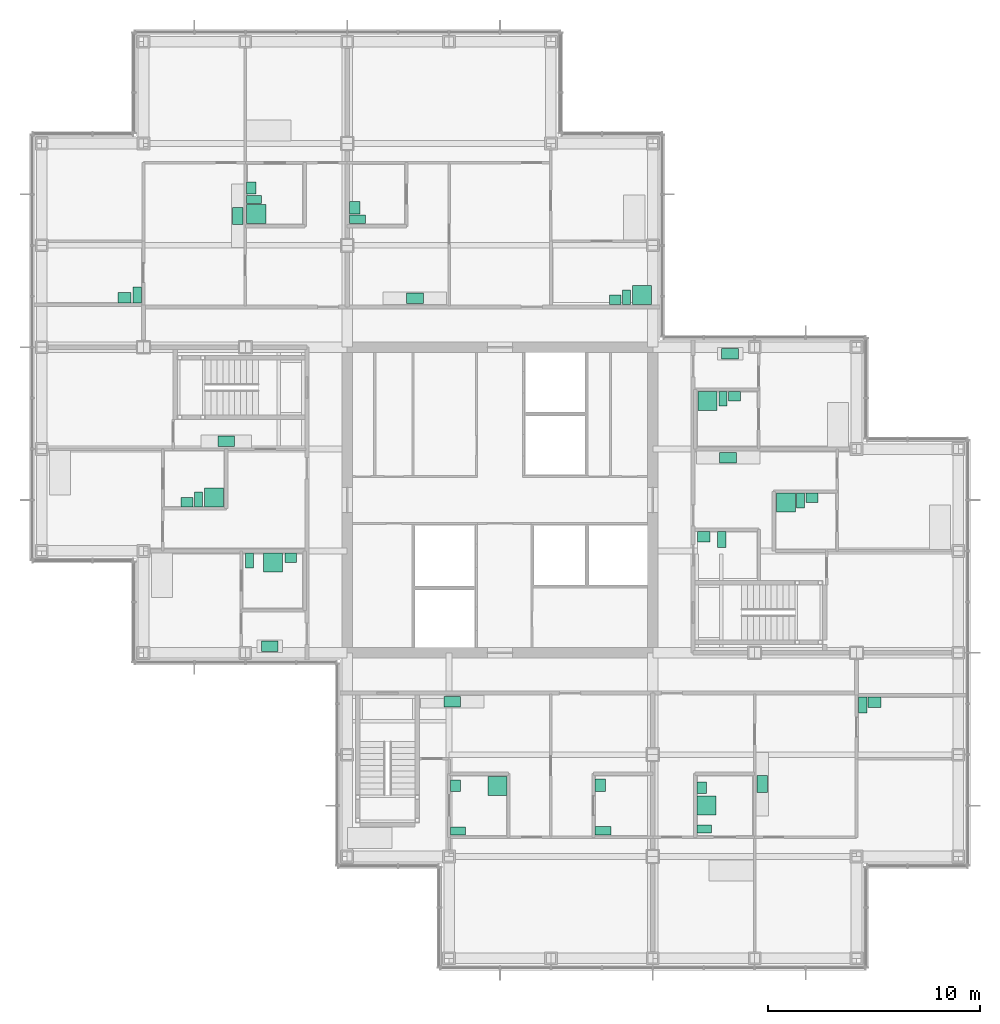
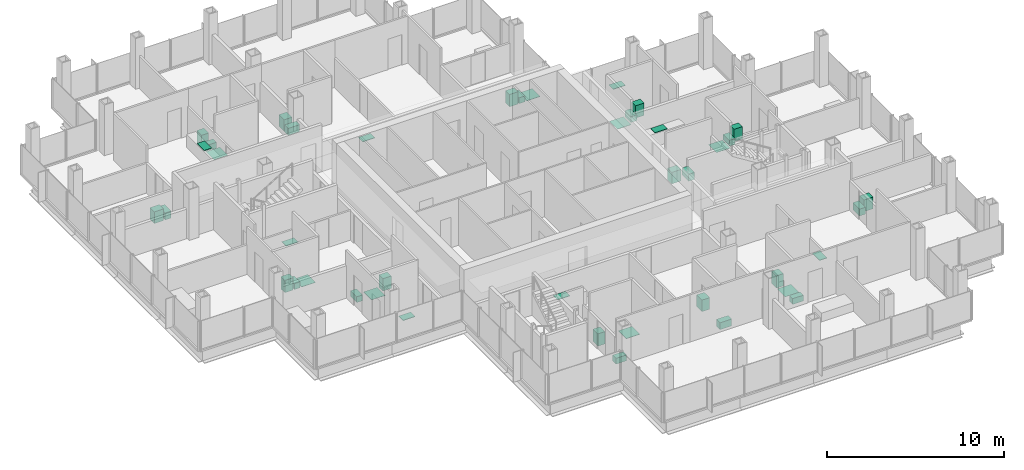
# One storey, part 19 of 20: 42 sanitary terminals.
"""IFC4 building model written with IfcOpenShell, lengths in metres."""

import ifcopenshell
import ifcopenshell.guid

model = None  # the IFC model being written
_history = None  # IfcOwnerHistory: only IFC2X3 demands one
_inside = {}  # id of a spatial element -> (the spatial element, [elements in it])
_under = {}  # id of a project, library or spatial element -> (it, [spatial elements below it])
_declared = {}  # id of a project -> (the project, [libraries it declares])
_typed = {}  # id of a type object -> (the type object, [elements of that type])
_made_of = {}  # id of a material, layer set ... -> (it, [elements and type objects made of it])


def new_model(schema):
    """Start an empty IFC model of exactly this schema.

    Asked for "IFC4X3", IfcOpenShell would pick the latest addendum, in which some entities
    have other attributes; the version numbers below select the first issue.
    IFC2X3 requires an IfcOwnerHistory on every rooted entity: one is made here for all.
    """
    global model, _history
    if schema == "IFC4X3":
        model = ifcopenshell.file(schema_version=(4, 3, 0, 0))
    else:
        model = ifcopenshell.file(schema=schema)
    _inside.clear()
    _under.clear()
    _declared.clear()
    _typed.clear()
    _made_of.clear()
    _history = None
    if model.schema == "IFC2X3":
        org = make("IfcOrganization", Name="unknown")
        user = make(
            "IfcPersonAndOrganization",
            ThePerson=make("IfcPerson", FamilyName="unknown"),
            TheOrganization=org,
        )
        app = make(
            "IfcApplication",
            ApplicationDeveloper=org,
            Version="unknown",
            ApplicationFullName="unknown",
            ApplicationIdentifier="unknown",
        )
        _history = make(
            "IfcOwnerHistory",
            OwningUser=user,
            OwningApplication=app,
            ChangeAction="ADDED",
            CreationDate=0,
        )
    return model


def make(cls, **values):
    """One entity of the class cls with the attributes given. An attribute that is None is left unset."""
    return model.create_entity(
        cls, **{name: value for name, value in values.items() if value is not None}
    )


def rooted(cls, **values):
    """An entity with a GlobalId (a new one), such as an element, a storey or a relation."""
    return make(cls, GlobalId=ifcopenshell.guid.new(), OwnerHistory=_history, **values)


def si_unit(unit_type, name, prefix=None):
    """IfcSIUnit, for example si_unit("LENGTHUNIT", "METRE", prefix="MILLI")."""
    return make("IfcSIUnit", UnitType=unit_type, Prefix=prefix, Name=name)


def assignment(units):
    """IfcUnitAssignment: the units of a project."""
    return None if units is None else make("IfcUnitAssignment", Units=units)


def point(xyz):
    """IfcCartesianPoint."""
    return None if xyz is None else make("IfcCartesianPoint", Coordinates=xyz)


def direction(xyz):
    """IfcDirection."""
    return None if xyz is None else make("IfcDirection", DirectionRatios=xyz)


def frame(location, z_axis=None, x_axis=None):
    """IfcAxis2Placement3D, a coordinate frame: its origin and axes. An axis left out is left unset."""
    return make(
        "IfcAxis2Placement3D",
        Location=point(location),
        Axis=direction(z_axis),
        RefDirection=direction(x_axis),
    )


def frame_2d(location, x_axis=None):
    """IfcAxis2Placement2D, a coordinate frame in the plane: its origin and x axis."""
    return make(
        "IfcAxis2Placement2D", Location=point(location), RefDirection=direction(x_axis)
    )


def origin():
    """The frame at (0, 0, 0) with its axes left unset."""
    return frame((0.0, 0.0, 0.0))


def origin_2d():
    """The frame at (0, 0) in the plane with its x axis left unset."""
    return frame_2d((0.0, 0.0))


def place(relative_to, where):
    """IfcLocalPlacement: puts the frame where relative to a parent placement (None: the world)."""
    return make(
        "IfcLocalPlacement", PlacementRelTo=relative_to, RelativePlacement=where
    )


def context(
    kind, dimensions, precision=None, world=None, true_north=None, identifier=None
):
    """IfcGeometricRepresentationContext, for example the 3D "Model" context."""
    return make(
        "IfcGeometricRepresentationContext",
        ContextIdentifier=identifier,
        ContextType=kind,
        CoordinateSpaceDimension=dimensions,
        Precision=precision,
        WorldCoordinateSystem=world,
        TrueNorth=true_north,
    )


def subcontext(parent, identifier, kind, view, scale=None):
    """IfcGeometricRepresentationSubContext, for example "Body" below "Model"."""
    return make(
        "IfcGeometricRepresentationSubContext",
        ContextIdentifier=identifier,
        ContextType=kind,
        ParentContext=parent,
        TargetScale=scale,
        TargetView=view,
    )


def project(units=None, contexts=None):
    """IfcProject with its units and contexts."""
    return rooted(
        "IfcProject",
        Name="project",
        RepresentationContexts=contexts,
        UnitsInContext=assignment(units),
    )


def spatial(cls, under=None, at=None, **own):
    """A site, building, storey or space (cls), placed at a placement, below another one or the project."""
    s = rooted(cls, ObjectPlacement=at, **own)
    if under is not None:
        _under.setdefault(under.id(), (under, []))[1].append(s)
    return s


def profile(cls, at=None, kind="AREA", **sizes):
    """A parametric profile (cls). Its sizes go by their IFC names, for example OverallWidth=200.0."""
    return make(cls, ProfileType=kind, Position=at, **sizes)


def rectangle(**sizes):
    """IfcRectangleProfileDef."""
    return profile("IfcRectangleProfileDef", **sizes)


def extrude(swept, where, along, depth):
    """IfcExtrudedAreaSolid: the profile swept, set in the frame where, extruded along a direction by depth."""
    return make(
        "IfcExtrudedAreaSolid",
        SweptArea=swept,
        Position=where,
        ExtrudedDirection=direction(along),
        Depth=depth,
    )


def shape(context_of_items, identifier, shape_type, items):
    """IfcShapeRepresentation: the items that make up one representation, for example the "Body"."""
    return make(
        "IfcShapeRepresentation",
        ContextOfItems=context_of_items,
        RepresentationIdentifier=identifier,
        RepresentationType=shape_type,
        Items=items,
    )


def material(Name=None, Category=None):
    """IfcMaterial."""
    return make("IfcMaterial", Name=Name, Category=Category)


def made_of(thing, what):
    """Note that an element or type object is made of a material, layer set ...; save() writes the relation."""
    if what is not None:
        _made_of.setdefault(what.id(), (what, []))[1].append(thing)
    return thing


def type_object(cls, material=None, **own):
    """A type object (cls), such as IfcWallType, which elements share."""
    return made_of(rooted(cls, **own), material)


def element(
    cls,
    number,
    at=None,
    inside=None,
    cuts=None,
    type_object=None,
    material=None,
    context=None,
    identifier="Body",
    shape_type=None,
    held_by="IfcProductDefinitionShape",
    body=None,
    shapes=None,
    **own,
):
    """One element of the class cls, such as IfcWall. Its Tag is "e" and its number.

    at: its placement. inside: the storey or other place that contains it. cuts: it is an
    opening in that element (IfcRelVoidsElement). A single representation is given by context,
    identifier, shape_type and body (its items); several are given by shapes. held_by: the class
    of the entity that holds the representations. save() writes the other relations.
    """
    e = rooted(cls, Tag="e%d" % number, ObjectPlacement=at, **own)
    if body is not None:
        shapes = [shape(context, identifier, shape_type, body)]
    if shapes is not None:
        e.Representation = make(held_by, Representations=shapes)
    if inside is not None:
        _inside.setdefault(inside.id(), (inside, []))[1].append(e)
    if cuts is not None:
        rooted(
            "IfcRelVoidsElement", RelatingBuildingElement=cuts, RelatedOpeningElement=e
        )
    if type_object is not None:
        _typed.setdefault(type_object.id(), (type_object, []))[1].append(e)
    return made_of(e, material)


def aggregate(whole, parts):
    """IfcRelAggregates: a whole, such as a stair, and the parts it consists of."""
    return rooted("IfcRelAggregates", RelatingObject=whole, RelatedObjects=parts)


def save(model, path):
    """Write the relations noted so far, then the file.

    IfcRelAggregates (storeys below a building ...), IfcRelContainedInSpatialStructure (elements
    in a storey), IfcRelDefinesByType, IfcRelAssociatesMaterial and IfcRelDeclares: one each for
    every whole, place, type object, material and project.
    """
    for whole, parts in _under.values():
        aggregate(whole, parts)
    for where, things in _inside.values():
        rooted(
            "IfcRelContainedInSpatialStructure",
            RelatedElements=things,
            RelatingStructure=where,
        )
    for kind, things in _typed.values():
        rooted("IfcRelDefinesByType", RelatedObjects=things, RelatingType=kind)
    for what, things in _made_of.values():
        rooted("IfcRelAssociatesMaterial", RelatedObjects=things, RelatingMaterial=what)
    for by, libraries in _declared.values():
        rooted("IfcRelDeclares", RelatingContext=by, RelatedDefinitions=libraries)
    model.write(path)


model = new_model("IFC4")

# Units and contexts
model_context = context("Model", 3, precision=1e-05, world=origin(), true_north=direction((0.0, 1.0)))
body_context = subcontext(model_context, "Body", "Model", "MODEL_VIEW")
ifc_project = project(units=[si_unit("LENGTHUNIT", "METRE"), si_unit("AREAUNIT", "SQUARE_METRE"), si_unit("VOLUMEUNIT", "CUBIC_METRE"), si_unit("PLANEANGLEUNIT", "RADIAN"), si_unit("MASSUNIT", "GRAM", prefix="KILO")], contexts=[model_context])

# Site, building, storey
site_placement = place(None, origin())
site = spatial("IfcSite", under=ifc_project, at=site_placement, CompositionType="ELEMENT")
building_placement = place(site_placement, origin())
building = spatial("IfcBuilding", under=site, at=building_placement, Name="Kvirike Care Tower", CompositionType="ELEMENT")
storey_placement = place(building_placement, frame((0.0, 0.0, 133.0)))
storey = spatial("IfcBuildingStorey", under=building, at=storey_placement, Name="L36", CompositionType="ELEMENT", Elevation=133.0)

# Sanitary terminals
ifc_material_1 = material(Name="Vitreous china", Category="ceramic")
sanitary_terminal_type_1 = type_object("IfcSanitaryTerminalType", Name="ACCESSIBLE WASH BASIN 600 x 500", PredefinedType="WASHHANDBASIN", material=ifc_material_1)
for number, where, z_axis, x_axis, name in (
    (1, (3.89990234375, 45.527099609375, 0.02001953125), (0.0, 0.0, 1.0), (-1.0, 0.0, 0.0), "Accessible wash basin L36-015"),
    (2, (26.326904296875, 22.56005859375, 0.02001953125), (0.0, 0.0, 1.0), (0.0, 1.0, 0.0), "Accessible wash basin L36-022"),
    (3, (14.751953125, 49.77490234375, 0.02001953125), (0.0, 0.0, 1.0), (0.0, 1.0, 0.0), "Accessible wash basin L36-030"),
    (4, (39.25, 26.472900390625, 0.02001953125), (0.0, 0.0, 1.0), (1.0, 0.0, 0.0), "Accessible wash basin L36-037"),
    (5, (31.199951171875, 34.27294921875, 0.02001953125), (0.0, 0.0, 1.0), (1.0, 0.0, 0.0), "Accessible wash basin L36-044"),
):
    element("IfcSanitaryTerminal", number, at=place(storey_placement, frame(where, z_axis=z_axis, x_axis=x_axis)), inside=storey, type_object=sanitary_terminal_type_1, Name=name, PredefinedType="WASHHANDBASIN", context=body_context, shape_type="SweptSolid", body=[
        extrude(rectangle(XDim=0.60009765625, YDim=0.5, at=origin_2d()), origin(), (0.0, 0.0, 1.0), 0.800048828125),
    ])
ifc_material_2 = material(Name="Vitreous china", Category="ceramic")
sanitary_terminal_type_2 = type_object("IfcSanitaryTerminalType", Name="ACCESSIBLE WC PAN 400 x 750", PredefinedType="TOILETPAN", material=ifc_material_2)
for number, where, z_axis, x_axis, name in (
    (6, (4.5, 45.652099609375, 0.02001953125), (0.0, 0.0, 1.0), (-1.0, 0.0, 0.0), "Accessible WC pan L36-015"),
    (7, (26.451904296875, 20.409912109375, 0.02001953125), (0.0, 0.0, 1.0), (0.0, 1.0, 0.0), "Accessible WC pan L36-022"),
    (8, (14.876953125, 49.22509765625, 0.02001953125), (0.0, 0.0, 1.0), (0.0, 1.0, 0.0), "Accessible WC pan L36-030"),
    (9, (38.699951171875, 26.347900390625, 0.02001953125), (0.0, 0.0, 1.0), (1.0, 0.0, 0.0), "Accessible WC pan L36-037"),
    (10, (32.050048828125, 34.14794921875, 0.02001953125), (0.0, 0.0, 1.0), (1.0, 0.0, 0.0), "Accessible WC pan L36-044"),
):
    element("IfcSanitaryTerminal", number, at=place(storey_placement, frame(where, z_axis=z_axis, x_axis=x_axis)), inside=storey, type_object=sanitary_terminal_type_2, Name=name, PredefinedType="TOILETPAN", context=body_context, shape_type="SweptSolid", body=[
        extrude(rectangle(XDim=0.39990234375, YDim=0.75, at=origin_2d()), origin(), (0.0, 0.0, 1.0), 0.47998046875),
    ])
ifc_material_3 = material(Name="Stainless steel", Category="steel")
sanitary_terminal_type_3 = type_object("IfcSanitaryTerminalType", Name="KITCHEN SINK 800 x 500", PredefinedType="SINK", material=ifc_material_3)
for number, where, z_axis, x_axis, name in (
    (11, (8.699951171875, 38.761962890625, 0.89990234375), (0.0, 0.0, 1.0), (-1.0, 0.0, 0.0), "Kitchen sink L36-006"),
    (12, (10.75, 29.10205078125, 0.89990234375), (0.0, 0.0, 1.0), (-1.0, 0.0, 0.0), "Kitchen sink L36-010"),
    (13, (9.238037109375, 49.389892578125, 0.89990234375), (0.0, 0.0, 1.0), (0.0, -1.0, 0.0), "Kitchen sink L36-017"),
    (14, (19.35009765625, 26.498046875, 0.89990234375), (0.0, 0.0, 1.0), (1.0, 0.0, 0.0), "Kitchen sink L36-024"),
    (15, (17.590087890625, 45.501953125, 0.89990234375), (0.0, 0.0, 1.0), (-1.0, 0.0, 0.0), "Kitchen sink L36-032"),
    (16, (33.9619140625, 22.610107421875, 0.89990234375), (0.0, 0.0, 1.0), (0.0, 1.0, 0.0), "Kitchen sink L36-039"),
    (17, (32.35009765625, 37.998046875, 0.89990234375), (0.0, 0.0, 1.0), (1.0, 0.0, 0.0), "Kitchen sink L36-046"),
    (18, (32.449951171875, 42.89794921875, 0.89990234375), (0.0, 0.0, 1.0), (1.0, 0.0, 0.0), "Kitchen sink L36-049"),
):
    element("IfcSanitaryTerminal", number, at=place(storey_placement, frame(where, z_axis=z_axis, x_axis=x_axis)), inside=storey, type_object=sanitary_terminal_type_3, Name=name, PredefinedType="SINK", context=body_context, shape_type="SweptSolid", body=[
        extrude(rectangle(XDim=0.800048828125, YDim=0.5, at=origin_2d()), origin(), (0.0, 0.0, 1.0), 0.030029296875),
    ])
ifc_material_4 = material(Name="Stainless steel", Category="steel")
sanitary_terminal_type_4 = type_object("IfcSanitaryTerminalType", Name="LEVEL-ACCESS SHOWER 900 x 900", PredefinedType="SHOWER", material=ifc_material_4)
for number, where, z_axis, x_axis, name in (
    (19, (8.125, 36.126953125, 0.02001953125), (0.0, 0.0, 1.0), (-1.0, 0.0, 0.0), "Level-access shower L36-005"),
    (20, (10.909912109375, 33.048095703125, 0.02001953125), (0.0, 0.0, 1.0), (1.0, 0.0, 0.0), "Level-access shower L36-009"),
    (21, (10.112060546875, 49.47509765625, 0.02001953125), (0.0, 0.0, 1.0), (0.0, 1.0, 0.0), "Level-access shower L36-014"),
    (22, (21.472900390625, 22.52490234375, 0.02001953125), (0.0, 0.0, 1.0), (0.0, -1.0, 0.0), "Level-access shower L36-023"),
    (23, (28.300048828125, 45.652099609375, 0.02001953125), (0.0, 0.0, 1.0), (-1.0, 0.0, 0.0), "Level-access shower L36-029"),
    (24, (31.326904296875, 21.610107421875, 0.02001953125), (0.0, 0.0, 1.0), (0.0, 1.0, 0.0), "Level-access shower L36-036"),
    (25, (35.074951171875, 35.873046875, 0.02001953125), (0.0, 0.0, 1.0), (1.0, 0.0, 0.0), "Level-access shower L36-045"),
    (26, (31.375, 40.673095703125, 0.02001953125), (0.0, 0.0, 1.0), (1.0, 0.0, 0.0), "Level-access shower L36-048"),
):
    element("IfcSanitaryTerminal", number, at=place(storey_placement, frame(where, z_axis=z_axis, x_axis=x_axis)), inside=storey, type_object=sanitary_terminal_type_4, Name=name, PredefinedType="SHOWER", context=body_context, shape_type="SweptSolid", body=[
        extrude(rectangle(XDim=0.89990234375, YDim=0.89990234375, at=origin_2d()), origin(), (0.0, 0.0, 1.0), 0.02001953125),
    ])
ifc_material_5 = material(Name="Vitreous china", Category="ceramic")
sanitary_terminal_type_5 = type_object("IfcSanitaryTerminalType", Name="WASH BASIN 550 x 450", PredefinedType="WASHHANDBASIN", material=ifc_material_5)
for number, where, z_axis, x_axis, name in (
    (27, (6.85009765625, 35.902099609375, 0.02001953125), (0.0, 0.0, 1.0), (-1.0, 0.0, 0.0), "Wash basin L36-005"),
    (28, (11.735107421875, 33.27294921875, 0.02001953125), (0.0, 0.0, 1.0), (1.0, 0.0, 0.0), "Wash basin L36-009"),
    (29, (9.886962890625, 50.699951171875, 0.02001953125), (0.0, 0.0, 1.0), (0.0, 1.0, 0.0), "Wash basin L36-014"),
    (30, (19.501953125, 22.534912109375, 0.02001953125), (0.0, 0.0, 1.0), (0.0, 1.0, 0.0), "Wash basin L36-023"),
    (31, (27.02490234375, 45.427001953125, 0.02001953125), (0.0, 0.0, 1.0), (-1.0, 0.0, 0.0), "Wash basin L36-029"),
    (32, (31.10205078125, 22.43505859375, 0.02001953125), (0.0, 0.0, 1.0), (0.0, 1.0, 0.0), "Wash basin L36-036"),
    (33, (36.300048828125, 36.097900390625, 0.02001953125), (0.0, 0.0, 1.0), (1.0, 0.0, 0.0), "Wash basin L36-045"),
    (34, (32.64990234375, 40.89794921875, 0.02001953125), (0.0, 0.0, 1.0), (1.0, 0.0, 0.0), "Wash basin L36-048"),
):
    element("IfcSanitaryTerminal", number, at=place(storey_placement, frame(where, z_axis=z_axis, x_axis=x_axis)), inside=storey, type_object=sanitary_terminal_type_5, Name=name, PredefinedType="WASHHANDBASIN", context=body_context, shape_type="SweptSolid", body=[
        extrude(rectangle(XDim=0.550048828125, YDim=0.449951171875, at=origin_2d()), origin(), (0.0, 0.0, 1.0), 0.85009765625),
    ])
ifc_material_6 = material(Name="Vitreous china", Category="ceramic")
sanitary_terminal_type_6 = type_object("IfcSanitaryTerminalType", Name="WC PAN 380 x 700", PredefinedType="TOILETPAN", material=ifc_material_6)
for number, where, z_axis, x_axis, name in (
    (35, (7.385009765625, 36.027099609375, 0.02001953125), (0.0, 0.0, 1.0), (-1.0, 0.0, 0.0), "WC pan L36-005"),
    (36, (9.800048828125, 33.14794921875, 0.02001953125), (0.0, 0.0, 1.0), (1.0, 0.0, 0.0), "WC pan L36-009"),
    (37, (10.011962890625, 50.1650390625, 0.02001953125), (0.0, 0.0, 1.0), (0.0, 1.0, 0.0), "WC pan L36-014"),
    (38, (19.626953125, 20.39990234375, 0.02001953125), (0.0, 0.0, 1.0), (0.0, 1.0, 0.0), "WC pan L36-023"),
    (39, (27.56005859375, 45.552001953125, 0.02001953125), (0.0, 0.0, 1.0), (-1.0, 0.0, 0.0), "WC pan L36-029"),
    (40, (31.22705078125, 20.5, 0.02001953125), (0.0, 0.0, 1.0), (0.0, 1.0, 0.0), "WC pan L36-036"),
    (41, (35.764892578125, 35.972900390625, 0.02001953125), (0.0, 0.0, 1.0), (1.0, 0.0, 0.0), "WC pan L36-045"),
    (42, (32.114990234375, 40.77294921875, 0.02001953125), (0.0, 0.0, 1.0), (1.0, 0.0, 0.0), "WC pan L36-048"),
):
    element("IfcSanitaryTerminal", number, at=place(storey_placement, frame(where, z_axis=z_axis, x_axis=x_axis)), inside=storey, type_object=sanitary_terminal_type_6, Name=name, PredefinedType="TOILETPAN", context=body_context, shape_type="SweptSolid", body=[
        extrude(rectangle(XDim=0.3798828125, YDim=0.699951171875, at=origin_2d()), origin(), (0.0, 0.0, 1.0), 0.39990234375),
    ])

save(model, "model.ifc")
